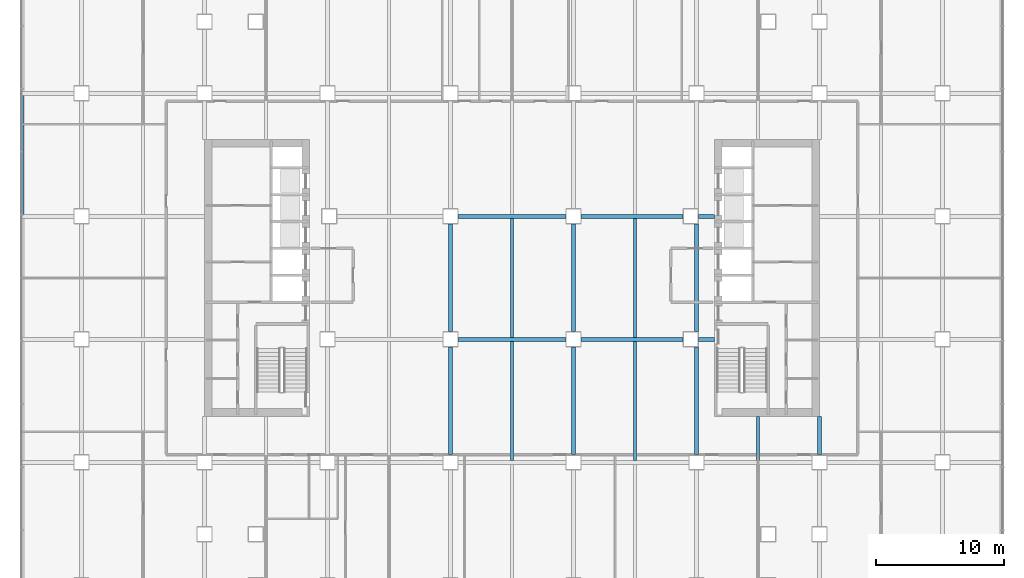
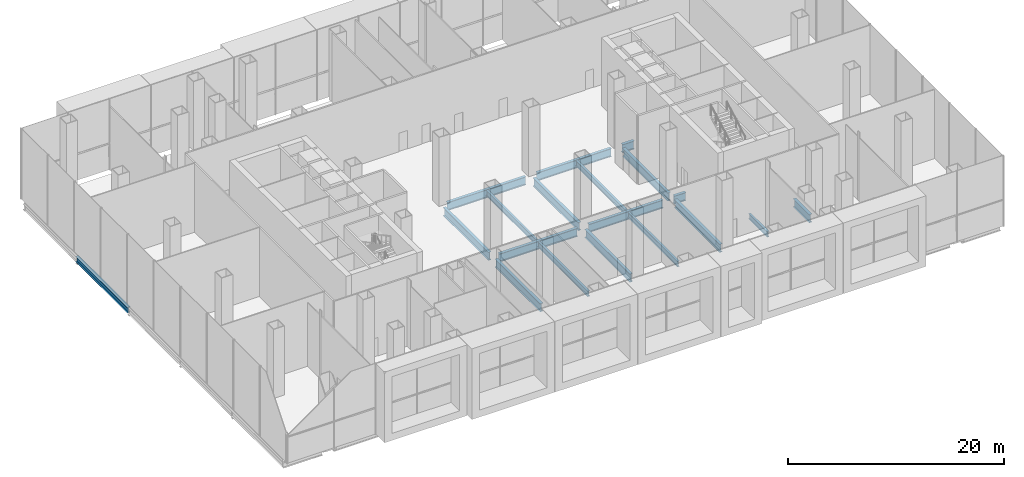
# One storey, part 6 of 24: 19 beams.
"""IFC4 building model written with IfcOpenShell, lengths in metres."""

from ifc_helpers import new_model, si_unit, direction, frame, origin, origin_2d, place, context, subcontext, project, spatial, i_section, extrude, material, material_profile, profile_set, type_object, element, save


model = new_model("IFC4")

# Units and contexts
model_context = context("Model", 3, precision=1e-05, world=origin(), true_north=direction((0.0, 1.0)))
body_context = subcontext(model_context, "Body", "Model", "MODEL_VIEW")
ifc_project = project(units=[si_unit("LENGTHUNIT", "METRE"), si_unit("AREAUNIT", "SQUARE_METRE"), si_unit("VOLUMEUNIT", "CUBIC_METRE"), si_unit("PLANEANGLEUNIT", "RADIAN"), si_unit("MASSUNIT", "GRAM", prefix="KILO")], contexts=[model_context])

# Site, building, storey
site_placement = place(None, origin())
site = spatial("IfcSite", under=ifc_project, at=site_placement, CompositionType="ELEMENT")
building_placement = place(site_placement, origin())
building = spatial("IfcBuilding", under=site, at=building_placement, Name="Cobrizo Arcos Hotel Tower", CompositionType="ELEMENT")
storey_placement = place(building_placement, frame((0.0, 0.0, 7.5)))
storey = spatial("IfcBuildingStorey", under=building, at=storey_placement, Name="L01", CompositionType="ELEMENT", Elevation=7.5)

# Beams
ifc_material = material(Name="Steel ASTM A992 Grade 50", Category="steel")
ifc_material_profile_1 = material_profile(ifc_material, i_section(OverallWidth=0.32763671875, OverallDepth=0.622314453125, WebThickness=0.015380859375, FlangeThickness=0.0244140625, at=origin_2d()), Name="W24X131")
ifc_profile_set_1 = profile_set([ifc_material_profile_1], Name="Steel ASTM A992 Grade 50")
beam_type_1 = type_object("IfcBeamType", Name="W24X131 edge beam", PredefinedType="BEAM", material=ifc_profile_set_1)
beam_1_placement = place(storey_placement, frame((-38.236083984375, 14.39990234375, -0.56103515625), z_axis=(0.0, -1.0, 0.0), x_axis=(1.0, 0.0, 0.0)))
element("IfcBeam", 1, at=beam_1_placement, inside=storey, type_object=beam_type_1, Name="Edge beam EB1, L01, no. 009", PredefinedType="BEAM", context=body_context, shape_type="SweptSolid", body=[
    extrude(i_section(OverallWidth=0.32763671875, OverallDepth=0.622314453125, WebThickness=0.015380859375, FlangeThickness=0.0244140625, at=origin_2d()), origin(), (0.0, 0.0, 1.0), 9.599853515625),
])
ifc_material_profile_2 = material_profile(ifc_material, i_section(OverallWidth=0.23046875, OverallDepth=0.6171875, WebThickness=0.01318359375, FlangeThickness=0.022216796875, at=origin_2d()), Name="W24X94")
ifc_profile_set_2 = profile_set([ifc_material_profile_2], Name="Steel ASTM A992 Grade 50")
beam_type_2 = type_object("IfcBeamType", Name="W24X94 podium joist", PredefinedType="JOIST", material=ifc_profile_set_2)
beam_2_placement = place(storey_placement, frame((0.0, -14.246337890625, -0.55859375), z_axis=(0.0, 1.0, 0.0), x_axis=(-1.0, 0.0, 0.0)))
element("IfcBeam", 2, at=beam_2_placement, inside=storey, type_object=beam_type_2, Name="Podium joist PJ1, L01, no. 016", PredefinedType="JOIST", context=body_context, shape_type="SweptSolid", body=[
    extrude(i_section(OverallWidth=0.23046875, OverallDepth=0.6171875, WebThickness=0.01318359375, FlangeThickness=0.022216796875, at=origin_2d()), origin(), (0.0, 0.0, 1.0), 9.292724609375),
])
beam_3_placement = place(storey_placement, frame((0.0, -4.646240234375, -0.55859375), z_axis=(0.0, 1.0, 0.0), x_axis=(-1.0, 0.0, 0.0)))
element("IfcBeam", 3, at=beam_3_placement, inside=storey, type_object=beam_type_2, Name="Podium joist PJ1, L01, no. 017", PredefinedType="JOIST", context=body_context, shape_type="SweptSolid", body=[
    extrude(i_section(OverallWidth=0.23046875, OverallDepth=0.6171875, WebThickness=0.01318359375, FlangeThickness=0.022216796875, at=origin_2d()), origin(), (0.0, 0.0, 1.0), 9.29248046875),
])
beam_4_placement = place(storey_placement, frame((9.60009765625, -14.246337890625, -0.55859375), z_axis=(0.0, 1.0, 0.0), x_axis=(-1.0, 0.0, 0.0)))
element("IfcBeam", 4, at=beam_4_placement, inside=storey, type_object=beam_type_2, Name="Podium joist PJ1, L01, no. 021", PredefinedType="JOIST", context=body_context, shape_type="SweptSolid", body=[
    extrude(i_section(OverallWidth=0.23046875, OverallDepth=0.6171875, WebThickness=0.01318359375, FlangeThickness=0.022216796875, at=origin_2d()), origin(), (0.0, 0.0, 1.0), 9.292724609375),
])
beam_5_placement = place(storey_placement, frame((9.60009765625, -4.646240234375, -0.55859375), z_axis=(0.0, 1.0, 0.0), x_axis=(-1.0, 0.0, 0.0)))
element("IfcBeam", 5, at=beam_5_placement, inside=storey, type_object=beam_type_2, Name="Podium joist PJ1, L01, no. 022", PredefinedType="JOIST", context=body_context, shape_type="SweptSolid", body=[
    extrude(i_section(OverallWidth=0.23046875, OverallDepth=0.6171875, WebThickness=0.01318359375, FlangeThickness=0.022216796875, at=origin_2d()), origin(), (0.0, 0.0, 1.0), 9.29248046875),
])
beam_6_placement = place(storey_placement, frame((19.199951171875, -14.246337890625, -0.55859375), z_axis=(0.0, 1.0, 0.0), x_axis=(-1.0, 0.0, 0.0)))
element("IfcBeam", 6, at=beam_6_placement, inside=storey, type_object=beam_type_2, Name="Podium joist PJ1, L01, no. 026", PredefinedType="JOIST", context=body_context, shape_type="SweptSolid", body=[
    extrude(i_section(OverallWidth=0.23046875, OverallDepth=0.6171875, WebThickness=0.01318359375, FlangeThickness=0.022216796875, at=origin_2d()), origin(), (0.0, 0.0, 1.0), 3.436279296875),
])
ifc_material_profile_3 = material_profile(ifc_material, i_section(OverallWidth=0.307373046875, OverallDepth=0.927001953125, WebThickness=0.01953125, FlangeThickness=0.031982421875, at=origin_2d()), Name="W36X194")
ifc_profile_set_3 = profile_set([ifc_material_profile_3], Name="Steel ASTM A992 Grade 50")
beam_type_3 = type_object("IfcBeamType", Name="W36X194 podium girder", PredefinedType="BEAM", material=ifc_profile_set_3)
beam_7_placement = place(storey_placement, frame((-4.199951171875, -4.800048828125, -0.71337890625), z_axis=(1.0, 0.0, 0.0), x_axis=(0.0, 1.0, 0.0)))
element("IfcBeam", 7, at=beam_7_placement, inside=storey, type_object=beam_type_3, Name="Podium girder PG1, L01, no. 013", PredefinedType="BEAM", context=body_context, shape_type="SweptSolid", body=[
    extrude(i_section(OverallWidth=0.307373046875, OverallDepth=0.927001953125, WebThickness=0.01953125, FlangeThickness=0.031982421875, at=origin_2d()), origin(), (0.0, 0.0, 1.0), 8.39990234375),
])
beam_8_placement = place(storey_placement, frame((5.39990234375, -4.800048828125, -0.71337890625), z_axis=(1.0, 0.0, 0.0), x_axis=(0.0, 1.0, 0.0)))
element("IfcBeam", 8, at=beam_8_placement, inside=storey, type_object=beam_type_3, Name="Podium girder PG1, L01, no. 014", PredefinedType="BEAM", context=body_context, shape_type="SweptSolid", body=[
    extrude(i_section(OverallWidth=0.307373046875, OverallDepth=0.927001953125, WebThickness=0.01953125, FlangeThickness=0.031982421875, at=origin_2d()), origin(), (0.0, 0.0, 1.0), 7.940185546875),
])
beam_9_placement = place(storey_placement, frame((14.5400390625, -4.800048828125, -0.71337890625), z_axis=(1.0, 0.0, 0.0), x_axis=(0.0, 1.0, 0.0)))
element("IfcBeam", 9, at=beam_9_placement, inside=storey, type_object=beam_type_3, Name="Podium girder PG1, L01, no. 015", PredefinedType="BEAM", context=body_context, shape_type="SweptSolid", body=[
    extrude(i_section(OverallWidth=0.307373046875, OverallDepth=0.927001953125, WebThickness=0.01953125, FlangeThickness=0.031982421875, at=origin_2d()), origin(), (0.0, 0.0, 1.0), 1.25),
])
beam_10_placement = place(storey_placement, frame((-4.199951171875, 4.800048828125, -0.71337890625), z_axis=(1.0, 0.0, 0.0), x_axis=(0.0, 1.0, 0.0)))
element("IfcBeam", 10, at=beam_10_placement, inside=storey, type_object=beam_type_3, Name="Podium girder PG1, L01, no. 021", PredefinedType="BEAM", context=body_context, shape_type="SweptSolid", body=[
    extrude(i_section(OverallWidth=0.307373046875, OverallDepth=0.927001953125, WebThickness=0.01953125, FlangeThickness=0.031982421875, at=origin_2d()), origin(), (0.0, 0.0, 1.0), 8.39990234375),
])
beam_11_placement = place(storey_placement, frame((5.39990234375, 4.800048828125, -0.71337890625), z_axis=(1.0, 0.0, 0.0), x_axis=(0.0, 1.0, 0.0)))
element("IfcBeam", 11, at=beam_11_placement, inside=storey, type_object=beam_type_3, Name="Podium girder PG1, L01, no. 022", PredefinedType="BEAM", context=body_context, shape_type="SweptSolid", body=[
    extrude(i_section(OverallWidth=0.307373046875, OverallDepth=0.927001953125, WebThickness=0.01953125, FlangeThickness=0.031982421875, at=origin_2d()), origin(), (0.0, 0.0, 1.0), 7.940185546875),
])
beam_12_placement = place(storey_placement, frame((14.5400390625, 4.800048828125, -0.71337890625), z_axis=(1.0, 0.0, 0.0), x_axis=(0.0, 1.0, 0.0)))
element("IfcBeam", 12, at=beam_12_placement, inside=storey, type_object=beam_type_3, Name="Podium girder PG1, L01, no. 023", PredefinedType="BEAM", context=body_context, shape_type="SweptSolid", body=[
    extrude(i_section(OverallWidth=0.307373046875, OverallDepth=0.927001953125, WebThickness=0.01953125, FlangeThickness=0.031982421875, at=origin_2d()), origin(), (0.0, 0.0, 1.0), 1.25),
])
beam_13_placement = place(storey_placement, frame((-4.800048828125, -13.800048828125, -0.71337890625), z_axis=(0.0, 1.0, 0.0), x_axis=(-1.0, 0.0, 0.0)))
element("IfcBeam", 13, at=beam_13_placement, inside=storey, type_object=beam_type_3, Name="Podium girder PG1, L01, no. 052", PredefinedType="BEAM", context=body_context, shape_type="SweptSolid", body=[
    extrude(i_section(OverallWidth=0.307373046875, OverallDepth=0.927001953125, WebThickness=0.01953125, FlangeThickness=0.031982421875, at=origin_2d()), origin(), (0.0, 0.0, 1.0), 8.400146484375),
])
beam_14_placement = place(storey_placement, frame((-4.800048828125, -4.199951171875, -0.71337890625), z_axis=(0.0, 1.0, 0.0), x_axis=(-1.0, 0.0, 0.0)))
element("IfcBeam", 14, at=beam_14_placement, inside=storey, type_object=beam_type_3, Name="Podium girder PG1, L01, no. 053", PredefinedType="BEAM", context=body_context, shape_type="SweptSolid", body=[
    extrude(i_section(OverallWidth=0.307373046875, OverallDepth=0.927001953125, WebThickness=0.01953125, FlangeThickness=0.031982421875, at=origin_2d()), origin(), (0.0, 0.0, 1.0), 8.39990234375),
])
beam_15_placement = place(storey_placement, frame((4.800048828125, -13.800048828125, -0.71337890625), z_axis=(0.0, 1.0, 0.0), x_axis=(-1.0, 0.0, 0.0)))
element("IfcBeam", 15, at=beam_15_placement, inside=storey, type_object=beam_type_3, Name="Podium girder PG1, L01, no. 057", PredefinedType="BEAM", context=body_context, shape_type="SweptSolid", body=[
    extrude(i_section(OverallWidth=0.307373046875, OverallDepth=0.927001953125, WebThickness=0.01953125, FlangeThickness=0.031982421875, at=origin_2d()), origin(), (0.0, 0.0, 1.0), 8.400146484375),
])
beam_16_placement = place(storey_placement, frame((4.800048828125, -4.199951171875, -0.71337890625), z_axis=(0.0, 1.0, 0.0), x_axis=(-1.0, 0.0, 0.0)))
element("IfcBeam", 16, at=beam_16_placement, inside=storey, type_object=beam_type_3, Name="Podium girder PG1, L01, no. 058", PredefinedType="BEAM", context=body_context, shape_type="SweptSolid", body=[
    extrude(i_section(OverallWidth=0.307373046875, OverallDepth=0.927001953125, WebThickness=0.01953125, FlangeThickness=0.031982421875, at=origin_2d()), origin(), (0.0, 0.0, 1.0), 8.39990234375),
])
beam_17_placement = place(storey_placement, frame((14.39990234375, -13.800048828125, -0.71337890625), z_axis=(0.0, 1.0, 0.0), x_axis=(-1.0, 0.0, 0.0)))
element("IfcBeam", 17, at=beam_17_placement, inside=storey, type_object=beam_type_3, Name="Podium girder PG1, L01, no. 062", PredefinedType="BEAM", context=body_context, shape_type="SweptSolid", body=[
    extrude(i_section(OverallWidth=0.307373046875, OverallDepth=0.927001953125, WebThickness=0.01953125, FlangeThickness=0.031982421875, at=origin_2d()), origin(), (0.0, 0.0, 1.0), 8.400146484375),
])
beam_18_placement = place(storey_placement, frame((14.39990234375, -4.199951171875, -0.71337890625), z_axis=(0.0, 1.0, 0.0), x_axis=(-1.0, 0.0, 0.0)))
element("IfcBeam", 18, at=beam_18_placement, inside=storey, type_object=beam_type_3, Name="Podium girder PG1, L01, no. 063", PredefinedType="BEAM", context=body_context, shape_type="SweptSolid", body=[
    extrude(i_section(OverallWidth=0.307373046875, OverallDepth=0.927001953125, WebThickness=0.01953125, FlangeThickness=0.031982421875, at=origin_2d()), origin(), (0.0, 0.0, 1.0), 8.39990234375),
])
beam_19_placement = place(storey_placement, frame((24.0, -13.800048828125, -0.71337890625), z_axis=(0.0, 1.0, 0.0), x_axis=(-1.0, 0.0, 0.0)))
element("IfcBeam", 19, at=beam_19_placement, inside=storey, type_object=beam_type_3, Name="Podium girder PG1, L01, no. 068", PredefinedType="BEAM", context=body_context, shape_type="SweptSolid", body=[
    extrude(i_section(OverallWidth=0.307373046875, OverallDepth=0.927001953125, WebThickness=0.01953125, FlangeThickness=0.031982421875, at=origin_2d()), origin(), (0.0, 0.0, 1.0), 2.989990234375),
])

save(model, "model.ifc")
